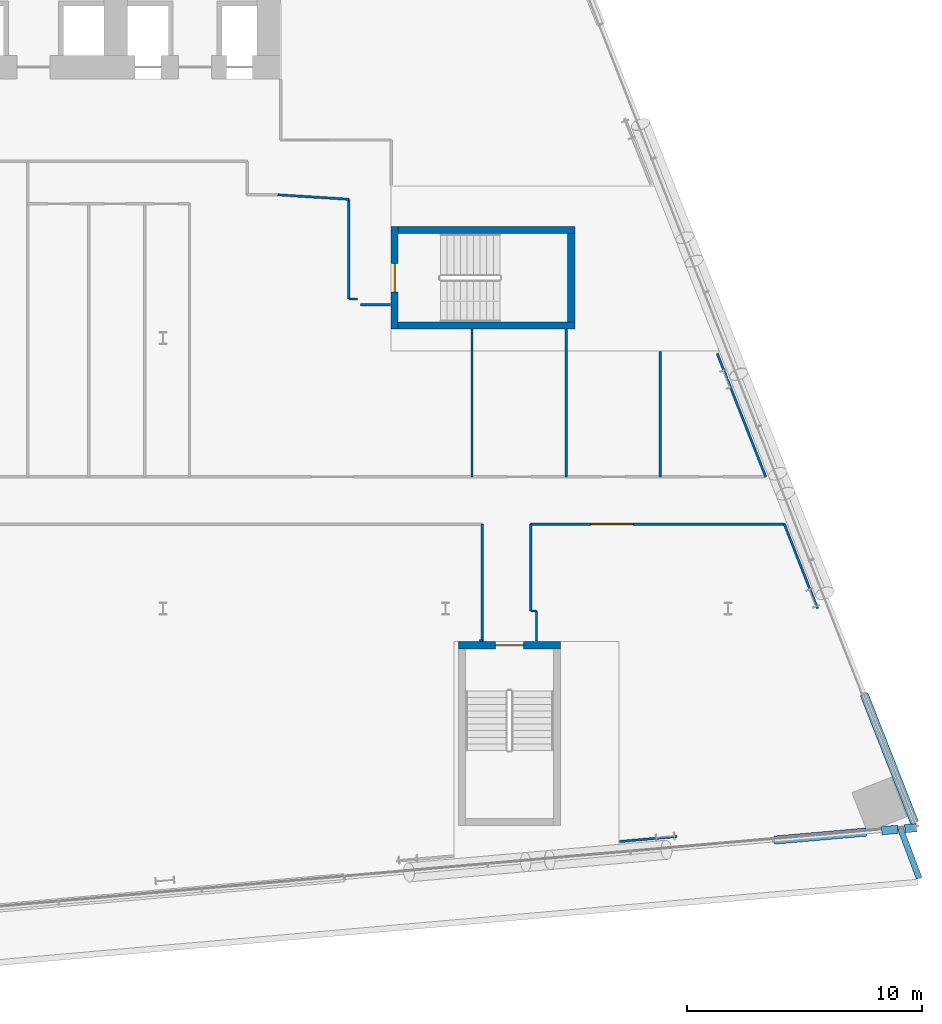
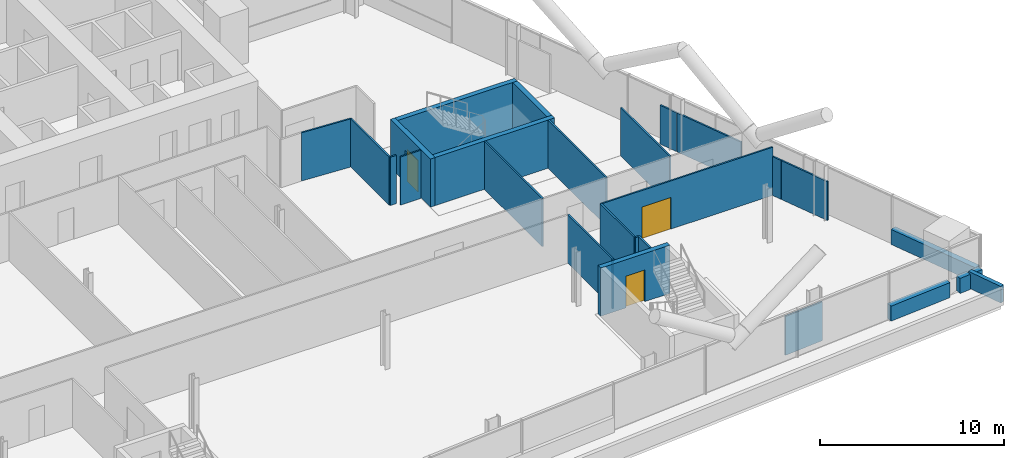
# One storey, part 18 of 26: 28 walls, 3 doors, 3 openings.
"""IFC4 building model written with IfcOpenShell, lengths in metres."""

from ifc_helpers import new_model, si_unit, direction, frame, frame_2d, origin, place, context, subcontext, project, spatial, rectangle, extrude, material, layer, layer_set, type_object, element, fill, save


model = new_model("IFC4")

# Units and contexts
model_context = context("Model", 3, precision=1e-05, world=origin(), true_north=direction((0.0, 1.0)))
body_context = subcontext(model_context, "Body", "Model", "MODEL_VIEW")
ifc_project = project(units=[si_unit("LENGTHUNIT", "METRE"), si_unit("AREAUNIT", "SQUARE_METRE"), si_unit("VOLUMEUNIT", "CUBIC_METRE"), si_unit("PLANEANGLEUNIT", "RADIAN"), si_unit("MASSUNIT", "GRAM", prefix="KILO")], contexts=[model_context])

# Site, building, storey
site_placement = place(None, origin())
site = spatial("IfcSite", under=ifc_project, at=site_placement, CompositionType="ELEMENT")
building_placement = place(site_placement, origin())
building = spatial("IfcBuilding", under=site, at=building_placement, Name="Wharfspan Tower", CompositionType="ELEMENT")
storey_placement = place(building_placement, frame((0.0, 0.0, 96.699951)))
storey = spatial("IfcBuildingStorey", under=building, at=storey_placement, Name="L21", CompositionType="ELEMENT", Elevation=96.699951)

# Walls
ifc_material_1 = material(Name="Gypsum board on steel studs", Category="steel")
ifc_layer_1 = layer(ifc_material_1, 0.100098)
ifc_layer_set_1 = layer_set([ifc_layer_1], Name="Gypsum board on steel studs")
wall_type_1 = type_object("IfcWallType", Name="Compartment wall 100 EI 60", PredefinedType="PARTITIONING", material=ifc_layer_set_1)
wall_1_placement = place(storey_placement, frame((67.889893, 24.649902, 0.0), z_axis=(0.0, 0.0, 1.0), x_axis=(0.0, 1.0, 0.0)))
element("IfcWall", 1, at=wall_1_placement, inside=storey, type_object=wall_type_1, Name="Partition L21.w032", PredefinedType="PARTITIONING", context=body_context, shape_type="SweptSolid", body=[
    extrude(rectangle(XDim=4.235107, YDim=0.100098, at=frame_2d((2.117676, 0.0))), origin(), (0.0, 0.0, 1.0), 3.199951),
])
wall_2_placement = place(storey_placement, frame((67.889893, 24.649902, 0.0), z_axis=(0.0, 0.0, 1.0), x_axis=(1.0, 0.0, 0.0)))
element("IfcWall", 2, at=wall_2_placement, inside=storey, type_object=wall_type_1, Name="Partition L21.w033", PredefinedType="PARTITIONING", context=body_context, shape_type="SweptSolid", body=[
    extrude(rectangle(XDim=0.380127, YDim=0.100098, at=frame_2d((0.189941, 0.0))), origin(), (0.0, 0.0, 1.0), 3.199951),
])
wall_3_placement = place(storey_placement, frame((67.889893, 28.88501, 0.0), z_axis=(0.0, 0.0, 1.0), x_axis=(-0.998031, 0.062786, 0.0)))
element("IfcWall", 3, at=wall_3_placement, inside=storey, type_object=wall_type_1, Name="Partition L21.w034", PredefinedType="PARTITIONING", context=body_context, shape_type="SweptSolid", body=[
    extrude(rectangle(XDim=3.02124, YDim=0.100098, at=frame_2d((1.510742, 0.0))), origin(), (0.0, 0.0, 1.0), 3.199951),
])
wall_4_placement = place(storey_placement, frame((68.389893, 24.399902, 0.0), z_axis=(0.0, 0.0, 1.0), x_axis=(1.0, 0.0, 0.0)))
element("IfcWall", 4, at=wall_4_placement, inside=storey, type_object=wall_type_1, Name="Partition L21.w035", PredefinedType="PARTITIONING", context=body_context, shape_type="SweptSolid", body=[
    extrude(rectangle(XDim=1.280518, YDim=0.100098, at=frame_2d((0.640137, 0.0))), origin(), (0.0, 0.0, 1.0), 3.199951),
])
wall_5_placement = place(storey_placement, frame((73.125, 17.094971, 0.0), z_axis=(0.0, 0.0, 1.0), x_axis=(0.0, 1.0, 0.0)))
element("IfcWall", 5, at=wall_5_placement, inside=storey, type_object=wall_type_1, Name="Partition L21.w038", PredefinedType="PARTITIONING", context=body_context, shape_type="SweptSolid", body=[
    extrude(rectangle(XDim=6.280029, YDim=0.100098, at=frame_2d((3.140137, 0.0))), origin(), (0.0, 0.0, 1.0), 3.199951),
])
wall_6_placement = place(storey_placement, frame((73.439941, 10.14502, 0.0), z_axis=(0.0, 0.0, 1.0), x_axis=(1.0, 0.0, 0.0)))
element("IfcWall", 6, at=wall_6_placement, inside=storey, type_object=wall_type_1, Name="Partition L21.w039", PredefinedType="PARTITIONING", context=body_context, shape_type="SweptSolid", body=[
    extrude(rectangle(XDim=0.125, YDim=0.100098, at=frame_2d((0.0625, 0.0))), origin(), (0.0, 0.0, 1.0), 3.199951),
])
wall_7_placement = place(storey_placement, frame((73.564941, 10.094727, 0.0), z_axis=(0.0, 0.0, 1.0), x_axis=(0.0, 1.0, 0.0)))
element("IfcWall", 7, at=wall_7_placement, inside=storey, type_object=wall_type_1, Name="Partition L21.w040", PredefinedType="PARTITIONING", context=body_context, shape_type="SweptSolid", body=[
    extrude(rectangle(XDim=4.995361, YDim=0.100098, at=frame_2d((2.497559, 0.0))), origin(), (0.0, 0.0, 1.0), 3.199951),
])
wall_8_placement = place(storey_placement, frame((75.61499, 11.39502, 0.0), z_axis=(0.0, 0.0, 1.0), x_axis=(0.0, 1.0, 0.0)))
element("IfcWall", 8, at=wall_8_placement, inside=storey, type_object=wall_type_1, Name="Partition L21.w041", PredefinedType="PARTITIONING", context=body_context, shape_type="SweptSolid", body=[
    extrude(rectangle(XDim=3.695068, YDim=0.100098, at=frame_2d((1.847656, 0.0))), origin(), (0.0, 0.0, 1.0), 3.199951),
])

# Wall, opening, door
wall_9_placement = place(storey_placement, frame((75.61499, 15.090088, 0.0), z_axis=(0.0, 0.0, 1.0), x_axis=(1.0, 0.0, 0.0)))
wall_9 = element("IfcWall", 9, at=wall_9_placement, inside=storey, type_object=wall_type_1, Name="Partition L21.w042", PredefinedType="PARTITIONING", context=body_context, shape_type="SweptSolid", body=[
    extrude(rectangle(XDim=10.774902, YDim=0.100098, at=frame_2d((5.387451, 0.0))), origin(), (0.0, 0.0, 1.0), 3.199951),
])
opening_1_placement = place(wall_9_placement, frame((2.554932, 0.0, 0.0)))
opening_1 = element("IfcOpeningElement", 10, at=opening_1_placement, cuts=wall_9, Name="Opening B1-04", PredefinedType="OPENING", context=body_context, shape_type="SweptSolid", body=[
    extrude(rectangle(XDim=1.800049, YDim=2.100098, at=frame_2d((0.899902, 1.050049))), frame((0.0, 0.060059, 0.0), z_axis=(0.0, -1.0, 0.0), x_axis=(1.0, 0.0, 0.0)), (0.0, 0.0, 1.0), 0.120117),
])
ifc_material_2 = material(Name="Fire-rated timber door leaf in steel frame", Category="steel")
door_type_1 = type_object("IfcDoorType", Name="Door 1800 FD30S Double", OperationType="DOUBLE_DOOR_SINGLE_SWING", PredefinedType="DOOR", material=ifc_material_2)
door_1_placement = place(opening_1_placement, origin())
door_1 = element("IfcDoor", 11, at=door_1_placement, inside=storey, type_object=door_type_1, Name="Door B1-04", OperationType="DOUBLE_DOOR_SINGLE_SWING", OverallHeight=2.100098, OverallWidth=1.800049, PredefinedType="DOOR", context=body_context, shape_type="SweptSolid", body=[
    extrude(rectangle(XDim=1.800049, YDim=2.100098, at=frame_2d((0.899902, 1.050049))), frame((0.0, 0.024902, 0.0), z_axis=(0.0, -1.0, 0.0), x_axis=(1.0, 0.0, 0.0)), (0.0, 0.0, 1.0), 0.050049),
])
fill(opening_1, door_1)

# Walls
wall_10_placement = place(storey_placement, frame((75.620117, 11.39502, 0.0), z_axis=(0.0, 0.0, 1.0), x_axis=(1.0, 0.0, 0.0)))
element("IfcWall", 12, at=wall_10_placement, inside=storey, type_object=wall_type_1, Name="Partition L21.w043", PredefinedType="PARTITIONING", context=body_context, shape_type="SweptSolid", body=[
    extrude(rectangle(XDim=0.244873, YDim=0.100098, at=frame_2d((0.122559, 0.0))), origin(), (0.0, 0.0, 1.0), 3.199951),
])
wall_11_placement = place(storey_placement, frame((75.86499, 10.114746, 0.0), z_axis=(0.0, 0.0, 1.0), x_axis=(0.0, 1.0, 0.0)))
element("IfcWall", 13, at=wall_11_placement, inside=storey, type_object=wall_type_1, Name="Partition L21.w044", PredefinedType="PARTITIONING", context=body_context, shape_type="SweptSolid", body=[
    extrude(rectangle(XDim=1.280273, YDim=0.100098, at=frame_2d((0.640137, 0.0))), origin(), (0.0, 0.0, 1.0), 3.199951),
])
wall_12_placement = place(storey_placement, frame((77.125, 17.094971, 0.0), z_axis=(0.0, 0.0, 1.0), x_axis=(0.0, 1.0, 0.0)))
element("IfcWall", 14, at=wall_12_placement, inside=storey, type_object=wall_type_1, Name="Partition L21.w045", PredefinedType="PARTITIONING", context=body_context, shape_type="SweptSolid", body=[
    extrude(rectangle(XDim=6.280029, YDim=0.100098, at=frame_2d((3.140137, 0.0))), origin(), (0.0, 0.0, 1.0), 3.199951),
])
wall_13_placement = place(storey_placement, frame((81.125, 17.094971, 0.0), z_axis=(0.0, 0.0, 1.0), x_axis=(0.0, 1.0, 0.0)))
element("IfcWall", 15, at=wall_13_placement, inside=storey, type_object=wall_type_1, Name="Partition L21.w048", PredefinedType="PARTITIONING", context=body_context, shape_type="SweptSolid", body=[
    extrude(rectangle(XDim=5.334961, YDim=0.100098, at=frame_2d((2.66748, 0.0))), origin(), (0.0, 0.0, 1.0), 3.199951),
])
wall_14_placement = place(storey_placement, frame((85.600098, 17.094971, 0.0), z_axis=(0.0, 0.0, 1.0), x_axis=(-0.365997, 0.930617, 0.0)))
element("IfcWall", 16, at=wall_14_placement, inside=storey, type_object=wall_type_1, Name="Partition L21.w050", PredefinedType="PARTITIONING", context=body_context, shape_type="SweptSolid", body=[
    extrude(rectangle(XDim=4.453369, YDim=0.100098, at=frame_2d((2.226562, 0.0))), origin(), (0.0, 0.0, 1.0), 2.580078),
])
wall_15_placement = place(storey_placement, frame((86.620117, 14.5, 0.0), z_axis=(0.0, 0.0, 1.0), x_axis=(-0.363469, 0.931606, 0.0)))
element("IfcWall", 17, at=wall_15_placement, inside=storey, type_object=wall_type_1, Name="Partition L21.w051", PredefinedType="PARTITIONING", context=body_context, shape_type="SweptSolid", body=[
    extrude(rectangle(XDim=0.633301, YDim=0.100098, at=frame_2d((0.31665, 0.0))), origin(), (0.0, 0.0, 1.0), 2.580078),
])
ifc_material_3 = material(Name="Concrete C40/50", Category="concrete")
ifc_layer_2 = layer(ifc_material_3, 0.25)
ifc_layer_set_2 = layer_set([ifc_layer_2], Name="Concrete C40/50")
wall_type_2 = type_object("IfcWallType", Name="PARAPET CONCRETE 250", PredefinedType="PARAPET", material=ifc_layer_set_2)
wall_16_placement = place(storey_placement, frame((91.318359, 2.174072, 0.0), z_axis=(0.0, 0.0, 1.0), x_axis=(0.351075, -0.936343, 0.0)))
element("IfcWall", 18, at=wall_16_placement, inside=storey, type_object=wall_type_2, Name="Ledge parapet", PredefinedType="PARAPET", context=body_context, shape_type="SweptSolid", body=[
    extrude(rectangle(XDim=2.274658, YDim=0.25, at=frame_2d((1.137207, 0.0))), origin(), (0.0, 0.0, 1.0), 1.100098),
])
ifc_layer_3 = layer(ifc_material_1, 0.100098)
ifc_layer_set_3 = layer_set([ifc_layer_3], Name="Gypsum board on steel studs")
wall_type_3 = type_object("IfcWallType", Name="Partition 100", PredefinedType="PARTITIONING", material=ifc_layer_set_3)
wall_17_placement = place(storey_placement, frame((79.385986, 1.606689, 0.0), z_axis=(0.0, 0.0, 1.0), x_axis=(0.996209, 0.086973, 0.0)))
element("IfcWall", 19, at=wall_17_placement, inside=storey, type_object=wall_type_3, Name="Partition L21.w046", PredefinedType="PARTITIONING", context=body_context, shape_type="SweptSolid", body=[
    extrude(rectangle(XDim=2.453369, YDim=0.100098, at=frame_2d((1.226562, 0.0))), origin(), (0.0, 0.0, 1.0), 2.580078),
])
wall_18_placement = place(storey_placement, frame((83.959961, 21.264893, 0.0), z_axis=(0.0, 0.0, 1.0), x_axis=(-0.364889, 0.931052, 0.0)))
element("IfcWall", 20, at=wall_18_placement, inside=storey, type_object=wall_type_3, Name="Partition L21.w049", PredefinedType="PARTITIONING", context=body_context, shape_type="SweptSolid", body=[
    extrude(rectangle(XDim=1.147461, YDim=0.100098, at=frame_2d((0.57373, 0.0))), origin(), (0.0, 0.0, 1.0), 2.580078),
])
wall_19_placement = place(storey_placement, frame((87.800049, 11.5, 0.0), z_axis=(0.0, 0.0, 1.0), x_axis=(-0.365764, 0.930711, 0.0)))
element("IfcWall", 21, at=wall_19_placement, inside=storey, type_object=wall_type_3, Name="Partition L21.w052", PredefinedType="PARTITIONING", context=body_context, shape_type="SweptSolid", body=[
    extrude(rectangle(XDim=3.212646, YDim=0.100098, at=frame_2d((1.606445, 0.0))), origin(), (0.0, 0.0, 1.0), 2.580078),
])
ifc_layer_4 = layer(ifc_material_3, 0.350098)
ifc_layer_set_4 = layer_set([ifc_layer_4], Name="Concrete C40/50")
wall_type_4 = type_object("IfcWallType", Name="SPANDREL EXPOSED CONCRETE 350", PredefinedType="SOLIDWALL", material=ifc_layer_set_4)
wall_20_placement = place(storey_placement, frame((85.958984, 1.666504, 0.0), z_axis=(0.0, 0.0, 1.0), x_axis=(0.996194, 0.087167, 0.0)))
element("IfcWall", 22, at=wall_20_placement, inside=storey, type_object=wall_type_4, Name="Spandrel upstand L21 S2 2", PredefinedType="SOLIDWALL", context=body_context, shape_type="SweptSolid", body=[
    extrude(rectangle(XDim=3.921143, YDim=0.350098, at=frame_2d((1.960449, 0.0))), origin(), (0.0, 0.0, 1.0), 1.0),
])
wall_21_placement = place(storey_placement, frame((90.5271, 2.066162, 0.0), z_axis=(0.0, 0.0, 1.0), x_axis=(0.996187, 0.087252, 0.0)))
element("IfcWall", 23, at=wall_21_placement, inside=storey, type_object=wall_type_4, Name="Spandrel upstand L21 S2 3", PredefinedType="SOLIDWALL", context=body_context, shape_type="SweptSolid", body=[
    extrude(rectangle(XDim=0.677246, YDim=0.350098, at=frame_2d((0.338623, 0.0))), origin(), (0.0, 0.0, 1.0), 1.0),
])
wall_22_placement = place(storey_placement, frame((91.51001, 2.1521, 0.0), z_axis=(0.0, 0.0, 1.0), x_axis=(0.996189, 0.087272, 0.0)))
element("IfcWall", 24, at=wall_22_placement, inside=storey, type_object=wall_type_4, Name="Spandrel upstand L21 S2 4", PredefinedType="SOLIDWALL", context=body_context, shape_type="SweptSolid", body=[
    extrude(rectangle(XDim=0.492432, YDim=0.350098, at=frame_2d((0.246094, 0.0))), origin(), (0.0, 0.0, 1.0), 1.0),
])
wall_23_placement = place(storey_placement, frame((91.921387, 2.413574, 0.0), z_axis=(0.0, 0.0, 1.0), x_axis=(-0.36578, 0.930701, 0.0)))
element("IfcWall", 25, at=wall_23_placement, inside=storey, type_object=wall_type_4, Name="Spandrel upstand L21 E 1", PredefinedType="SOLIDWALL", context=body_context, shape_type="SweptSolid", body=[
    extrude(rectangle(XDim=5.851562, YDim=0.350098, at=frame_2d((2.925781, 0.0))), origin(), (0.0, 0.0, 1.0), 1.0),
])

# Wall, opening, door
ifc_layer_5 = layer(ifc_material_3, 0.300049)
ifc_layer_set_5 = layer_set([ifc_layer_5], Name="Concrete C40/50")
wall_type_5 = type_object("IfcWallType", Name="Stair core wall 300", PredefinedType="SHEAR", material=ifc_layer_set_5)
wall_24_placement = place(storey_placement, frame((72.541016, 9.94458, 0.0), z_axis=(0.0, 0.0, 1.0), x_axis=(1.0, 0.0, 0.0)))
wall_24 = element("IfcWall", 26, at=wall_24_placement, inside=storey, type_object=wall_type_5, Name="ST5 stair enclosure wall L21", PredefinedType="SHEAR", context=body_context, shape_type="SweptSolid", body=[
    extrude(rectangle(XDim=4.350098, YDim=0.300049, at=frame_2d((2.175049, 0.0))), origin(), (0.0, 0.0, 1.0), 3.199951),
])
opening_2_placement = place(wall_24_placement, frame((1.574951, 0.0, 0.0)))
opening_2 = element("IfcOpeningElement", 27, at=opening_2_placement, cuts=wall_24, Name="Opening SD5.L21", PredefinedType="OPENING", context=body_context, shape_type="SweptSolid", body=[
    extrude(rectangle(XDim=1.199951, YDim=2.100098, at=frame_2d((0.600098, 1.050049))), frame((0.0, 0.159912, 0.0), z_axis=(0.0, -1.0, 0.0), x_axis=(1.0, 0.0, 0.0)), (0.0, 0.0, 1.0), 0.320068),
])
ifc_material_4 = material(Name="Steel door leaf", Category="steel")
door_type_2 = type_object("IfcDoorType", Name="Stair door 1200x2100", OperationType="SINGLE_SWING_LEFT", PredefinedType="DOOR", material=ifc_material_4)
door_2_placement = place(opening_2_placement, origin())
door_2 = element("IfcDoor", 28, at=door_2_placement, inside=storey, type_object=door_type_2, Name="sd:L21:ST5z2", OperationType="SINGLE_SWING_RIGHT", OverallHeight=2.100098, OverallWidth=1.199951, PredefinedType="DOOR", context=body_context, shape_type="SweptSolid", body=[
    extrude(rectangle(XDim=1.199951, YDim=2.100098, at=frame_2d((0.600098, 1.050049))), frame((0.0, 0.024902, 0.0), z_axis=(0.0, -1.0, 0.0), x_axis=(1.0, 0.0, 0.0)), (0.0, 0.0, 1.0), 0.050049),
])
fill(opening_2, door_2)

wall_25_placement = place(storey_placement, frame((69.840332, 23.375, 0.0), z_axis=(0.0, 0.0, 1.0), x_axis=(0.0, 1.0, 0.0)))
wall_25 = element("IfcWall", 29, at=wall_25_placement, inside=storey, type_object=wall_type_5, Name="ST6 stair enclosure wall L21", PredefinedType="SHEAR", context=body_context, shape_type="SweptSolid", body=[
    extrude(rectangle(XDim=4.350098, YDim=0.300049, at=frame_2d((2.175049, 0.0))), origin(), (0.0, 0.0, 1.0), 3.199951),
])
opening_3_placement = place(wall_25_placement, frame((1.574951, 0.0, 0.0)))
opening_3 = element("IfcOpeningElement", 30, at=opening_3_placement, cuts=wall_25, Name="Opening SD6.L21", PredefinedType="OPENING", context=body_context, shape_type="SweptSolid", body=[
    extrude(rectangle(XDim=1.199951, YDim=2.100098, at=frame_2d((0.600098, 1.050049))), frame((0.0, 0.159912, 0.0), z_axis=(0.0, -1.0, 0.0), x_axis=(1.0, 0.0, 0.0)), (0.0, 0.0, 1.0), 0.320068),
])
door_3_placement = place(opening_3_placement, origin())
door_3 = element("IfcDoor", 31, at=door_3_placement, inside=storey, type_object=door_type_2, Name="sd:L21:ST6z2", OperationType="SINGLE_SWING_RIGHT", OverallHeight=2.100098, OverallWidth=1.199951, PredefinedType="DOOR", context=body_context, shape_type="SweptSolid", body=[
    extrude(rectangle(XDim=1.199951, YDim=2.100098, at=frame_2d((0.600098, 1.050049))), frame((0.0, 0.024902, 0.0), z_axis=(0.0, -1.0, 0.0), x_axis=(1.0, 0.0, 0.0)), (0.0, 0.0, 1.0), 0.050049),
])
fill(opening_3, door_3)

# Walls
for number, where, z_axis, x_axis, name in (
    (32, (69.990479, 23.524902, 0.0), (0.0, 0.0, 1.0), (1.0, 0.0, 0.0), "ST6 stair enclosure wall L21"),
    (33, (69.990479, 27.574951, 0.0), (0.0, 0.0, 1.0), (1.0, 0.0, 0.0), "ST6 stair enclosure wall L21"),
):
    element("IfcWall", number, at=place(storey_placement, frame(where, z_axis=z_axis, x_axis=x_axis)), inside=storey, type_object=wall_type_5, Name=name, PredefinedType="SHEAR", context=body_context, shape_type="SweptSolid", body=[
        extrude(rectangle(XDim=7.5, YDim=0.300049, at=frame_2d((3.75, 0.0))), origin(), (0.0, 0.0, 1.0), 3.199951),
    ])
wall_26_placement = place(storey_placement, frame((77.340332, 23.675049, 0.0), z_axis=(0.0, 0.0, 1.0), x_axis=(0.0, 1.0, 0.0)))
element("IfcWall", 34, at=wall_26_placement, inside=storey, type_object=wall_type_5, Name="ST6 stair enclosure wall L21", PredefinedType="SHEAR", context=body_context, shape_type="SweptSolid", body=[
    extrude(rectangle(XDim=3.75, YDim=0.300049, at=frame_2d((1.875, 0.0))), origin(), (0.0, 0.0, 1.0), 3.199951),
])

save(model, "model.ifc")
